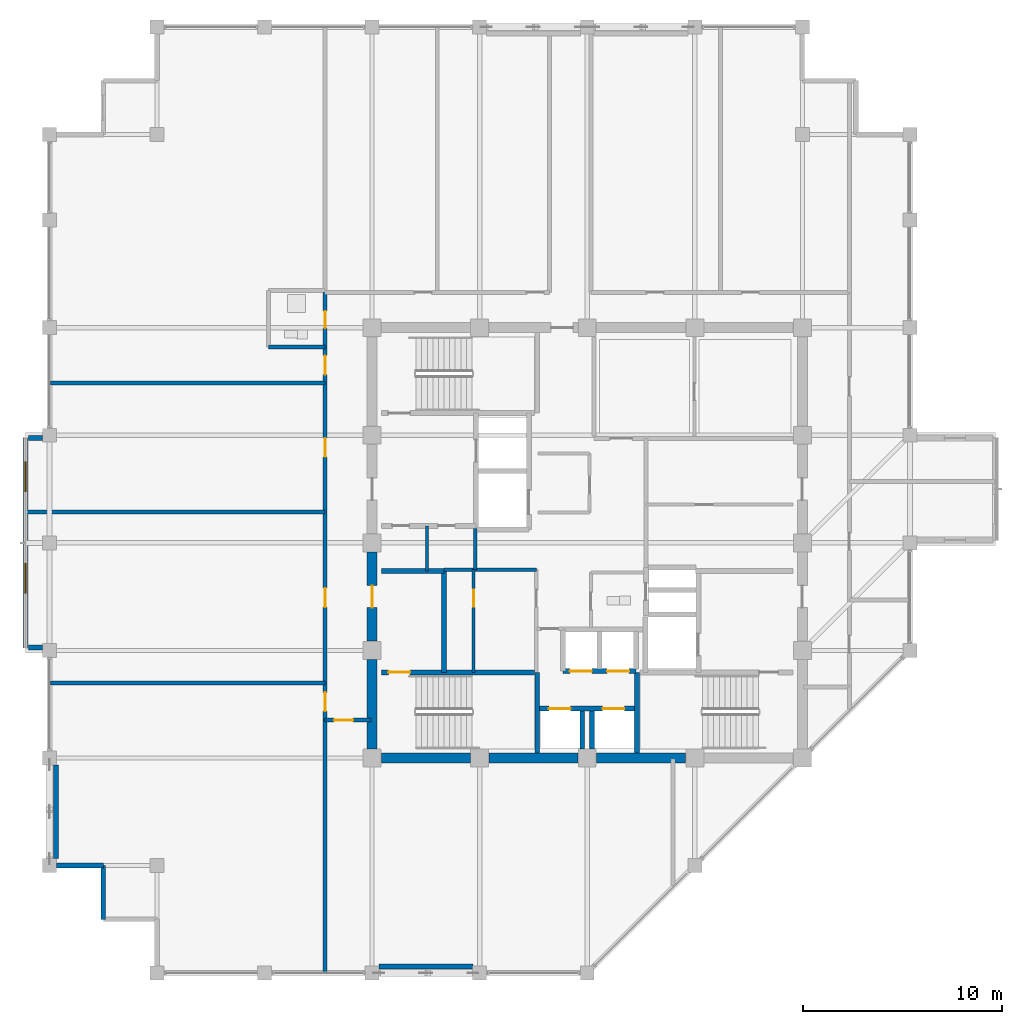
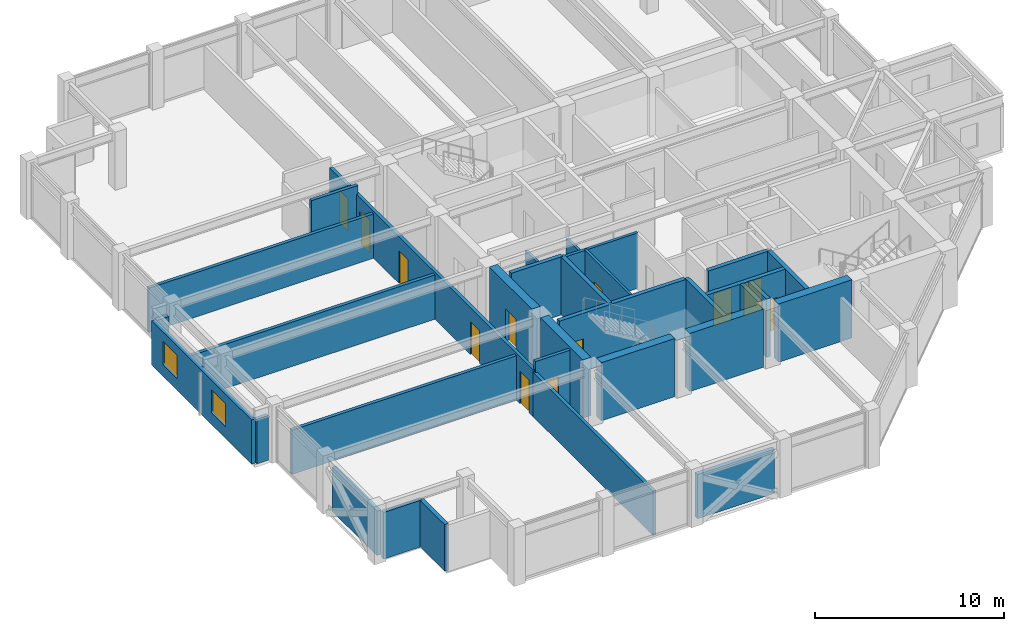
# One storey, part 24 of 30: 32 walls, 13 doors, 2 windows, 15 openings.
"""IFC4 building model written with IfcOpenShell, lengths in metres."""

from ifc_helpers import new_model, si_unit, direction, frame, frame_2d, origin, place, context, subcontext, project, spatial, rectangle, extrude, material, layer, layer_set, type_object, element, fill, save


model = new_model("IFC4")

# Units and contexts
model_context = context("Model", 3, precision=1e-05, world=origin(), true_north=direction((0.0, 1.0)))
body_context = subcontext(model_context, "Body", "Model", "MODEL_VIEW")
ifc_project = project(units=[si_unit("LENGTHUNIT", "METRE"), si_unit("AREAUNIT", "SQUARE_METRE"), si_unit("VOLUMEUNIT", "CUBIC_METRE"), si_unit("PLANEANGLEUNIT", "RADIAN"), si_unit("MASSUNIT", "GRAM", prefix="KILO")], contexts=[model_context])

# Site, building, storey
site_placement = place(None, origin())
site = spatial("IfcSite", under=ifc_project, at=site_placement, CompositionType="ELEMENT")
building_placement = place(site_placement, origin())
building = spatial("IfcBuilding", under=site, at=building_placement, Name="Surkhivell Harbour Commons", CompositionType="ELEMENT")
storey_placement = place(building_placement, frame((0.0, 0.0, 303.75)))
storey = spatial("IfcBuildingStorey", under=building, at=storey_placement, Name="L79", CompositionType="ELEMENT", Elevation=303.75)

# Walls
ifc_material_1 = material(Name="Concrete C50/60", Category="concrete")
ifc_layer_1 = layer(ifc_material_1, 0.5)
ifc_layer_set_1 = layer_set([ifc_layer_1], Name="Concrete C50/60")
wall_type_1 = type_object("IfcWallType", Name="WAL-CORE-500", PredefinedType="SHEAR", material=ifc_layer_set_1)
for number, where, z_axis, x_axis, name in (
    (1, (-10.340087890625, -10.800048828125, 0.0), (0.0, 0.0, 1.0), (1.0, 0.0, 0.0), "L79 Core Shear Wall South 1"),
    (2, (-10.800048828125, -10.340087890625, 0.0), (0.0, 0.0, 1.0), (0.0, 1.0, 0.0), "L79 Core Shear Wall West 1"),
    (3, (-4.93994140625, -10.800048828125, 0.0), (0.0, 0.0, 1.0), (1.0, 0.0, 0.0), "L79 Core Shear Wall South 2"),
):
    element("IfcWall", number, at=place(storey_placement, frame(where, z_axis=z_axis, x_axis=x_axis)), inside=storey, type_object=wall_type_1, Name=name, PredefinedType="SHEAR", context=body_context, shape_type="SweptSolid", body=[
        extrude(rectangle(XDim=4.47998046875, YDim=0.5, at=frame_2d((2.239990234375, 0.0))), origin(), (0.0, 0.0, 1.0), 3.75),
    ])

# Wall, opening, door
wall_1_placement = place(storey_placement, frame((-10.800048828125, -4.93994140625, 0.0), z_axis=(0.0, 0.0, 1.0), x_axis=(0.0, 1.0, 0.0)))
wall_1 = element("IfcWall", 4, at=wall_1_placement, inside=storey, type_object=wall_type_1, Name="L79 Core Shear Wall West 2", PredefinedType="SHEAR", context=body_context, shape_type="SweptSolid", body=[
    extrude(rectangle(XDim=4.47998046875, YDim=0.5, at=frame_2d((2.239990234375, 0.0))), origin(), (0.0, 0.0, 1.0), 3.75),
])
opening_1_placement = place(wall_1_placement, frame((1.68994140625, 0.0, 0.0)))
opening_1 = element("IfcOpeningElement", 5, at=opening_1_placement, cuts=wall_1, Name="Opening ID-2", PredefinedType="OPENING", context=body_context, shape_type="SweptSolid", body=[
    extrude(rectangle(XDim=1.10009765625, YDim=2.10009765625, at=frame_2d((0.550048828125, 1.050048828125))), frame((0.0, 0.260009765625, 0.0), z_axis=(0.0, -1.0, 0.0), x_axis=(1.0, 0.0, 0.0)), (0.0, 0.0, 1.0), 0.52001953125),
])
ifc_material_2 = material(Name="Hardwood-veneered fire-rated door leaf", Category="wood")
door_type_1 = type_object("IfcDoorType", Name="DOR-FD60-1100", OperationType="NOTDEFINED", PredefinedType="DOOR", material=ifc_material_2)
door_1_placement = place(opening_1_placement, origin())
door_1 = element("IfcDoor", 6, at=door_1_placement, inside=storey, type_object=door_type_1, Name="L79 Stair 3 Lobby Corridor Door", OperationType="SINGLE_SWING_LEFT", OverallHeight=2.10009765625, OverallWidth=1.10009765625, PredefinedType="DOOR", context=body_context, shape_type="SweptSolid", body=[
    extrude(rectangle(XDim=1.10009765625, YDim=2.10009765625, at=frame_2d((0.550048828125, 1.050048828125))), frame((0.0, 0.02490234375, 0.0), z_axis=(0.0, -1.0, 0.0), x_axis=(1.0, 0.0, 0.0)), (0.0, 0.0, 1.0), 0.050048828125),
])
fill(opening_1, door_1)

# Walls
wall_2_placement = place(storey_placement, frame((0.4599609375, -10.800048828125, 0.0), z_axis=(0.0, 0.0, 1.0), x_axis=(1.0, 0.0, 0.0)))
element("IfcWall", 7, at=wall_2_placement, inside=storey, type_object=wall_type_1, Name="L79 Core Shear Wall South 3", PredefinedType="SHEAR", context=body_context, shape_type="SweptSolid", body=[
    extrude(rectangle(XDim=4.47998046875, YDim=0.5, at=frame_2d((2.239990234375, 0.0))), origin(), (0.0, 0.0, 1.0), 3.75),
])
ifc_material_3 = material(Name="Pale-metal insulated precast concrete C45/55", Category="concrete")
ifc_layer_2 = layer(ifc_material_3, 0.260009765625)
ifc_layer_set_2 = layer_set([ifc_layer_2], Name="Pale-metal insulated precast concrete C45/55")
wall_type_2 = type_object("IfcWallType", Name="WAL-EXT-MTL260", PredefinedType="STANDARD", material=ifc_layer_set_2)
wall_3_placement = place(storey_placement, frame((-10.451904296875, -21.264892578125, 0.0), z_axis=(0.0, 0.0, 1.0), x_axis=(1.0, 0.0, 0.0)))
element("IfcWall", 8, at=wall_3_placement, inside=storey, type_object=wall_type_2, Name="L79 Braced-Bay Insulated Spandrel Backing S", PredefinedType="STANDARD", context=body_context, shape_type="SweptSolid", body=[
    extrude(rectangle(XDim=4.703857421875, YDim=0.260009765625, at=frame_2d((2.35205078125, 0.0))), origin(), (0.0, 0.0, 1.0), 2.85693359375),
])
wall_4_placement = place(storey_placement, frame((-26.6650390625, -15.85205078125, 0.0), z_axis=(0.0, 0.0, 1.0), x_axis=(0.0, 1.0, 0.0)))
element("IfcWall", 9, at=wall_4_placement, inside=storey, type_object=wall_type_2, Name="L79 Braced-Bay Insulated Spandrel Backing W", PredefinedType="STANDARD", context=body_context, shape_type="SweptSolid", body=[
    extrude(rectangle(XDim=4.7041015625, YDim=0.260009765625, at=frame_2d((2.35205078125, 0.0))), origin(), (0.0, 0.0, 1.0), 2.85693359375),
])

# Wall, openings, windows
ifc_material_4 = material(Name="Bronze-ochre cassette precast concrete C45/55", Category="concrete")
ifc_layer_3 = layer(ifc_material_4, 0.239990234375)
ifc_layer_set_3 = layer_set([ifc_layer_3], Name="Bronze-ochre cassette precast concrete C45/55")
wall_type_3 = type_object("IfcWallType", Name="WAL-EXT-OCH240", PredefinedType="STANDARD", material=ifc_layer_set_3)
wall_5_placement = place(storey_placement, frame((-28.199951171875, 5.280029296875, 0.0), z_axis=(0.0, 0.0, 1.0), x_axis=(0.0, -1.0, 0.0)))
wall_5 = element("IfcWall", 10, at=wall_5_placement, inside=storey, type_object=wall_type_3, Name="L79 Coloured Box Front Wall 02", PredefinedType="STANDARD", context=body_context, shape_type="SweptSolid", body=[
    extrude(rectangle(XDim=10.56005859375, YDim=0.239990234375, at=frame_2d((5.280029296875, 0.0))), origin(), (0.0, 0.0, 1.0), 2.85693359375),
])
opening_2_placement = place(wall_5_placement, frame((1.205078125, 0.0, 0.75)))
opening_2 = element("IfcOpeningElement", 11, at=opening_2_placement, cuts=wall_5, Name="Opening WN-13", PredefinedType="OPENING", context=body_context, shape_type="SweptSolid", body=[
    extrude(rectangle(XDim=1.5, YDim=1.5, at=frame_2d((0.75, 0.75))), frame((0.0, 0.1298828125, 0.0), z_axis=(0.0, -1.0, 0.0), x_axis=(1.0, 0.0, 0.0)), (0.0, 0.0, 1.0), 0.260009765625),
])
opening_3_placement = place(wall_5_placement, frame((6.304931640625, 0.0, 0.75)))
opening_3 = element("IfcOpeningElement", 12, at=opening_3_placement, cuts=wall_5, Name="Opening WN-13", PredefinedType="OPENING", context=body_context, shape_type="SweptSolid", body=[
    extrude(rectangle(XDim=1.5, YDim=1.5, at=frame_2d((0.75, 0.75))), frame((0.0, 0.1298828125, 0.0), z_axis=(0.0, -1.0, 0.0), x_axis=(1.0, 0.0, 0.0)), (0.0, 0.0, 1.0), 0.260009765625),
])
ifc_material_5 = material(Name="Thermal-break aluminium frame and double low-E glazing", Category="aluminium")
window_type = type_object("IfcWindowType", Name="WIN-BOX-1500x1500", PartitioningType="SINGLE_PANEL", PredefinedType="WINDOW", material=ifc_material_5)
window_1_placement = place(opening_2_placement, origin())
window_1 = element("IfcWindow", 13, at=window_1_placement, inside=storey, type_object=window_type, Name="L79 Coloured Box Square Window 02-1", OverallHeight=1.5, OverallWidth=1.5, PartitioningType="SINGLE_PANEL", PredefinedType="WINDOW", context=body_context, shape_type="SweptSolid", body=[
    extrude(rectangle(XDim=1.5, YDim=1.5, at=frame_2d((0.75, 0.75))), frame((0.0, 0.030029296875, 0.0), z_axis=(0.0, -1.0, 0.0), x_axis=(1.0, 0.0, 0.0)), (0.0, 0.0, 1.0), 0.06005859375),
])
fill(opening_2, window_1)
window_2_placement = place(opening_3_placement, origin())
window_2 = element("IfcWindow", 14, at=window_2_placement, inside=storey, type_object=window_type, Name="L79 Coloured Box Square Window 02-2", OverallHeight=1.5, OverallWidth=1.5, PartitioningType="SINGLE_PANEL", PredefinedType="WINDOW", context=body_context, shape_type="SweptSolid", body=[
    extrude(rectangle(XDim=1.5, YDim=1.5, at=frame_2d((0.75, 0.75))), frame((0.0, 0.030029296875, 0.0), z_axis=(0.0, -1.0, 0.0), x_axis=(1.0, 0.0, 0.0)), (0.0, 0.0, 1.0), 0.06005859375),
])
fill(opening_3, window_2)

# Walls
for number, where, z_axis, x_axis, name in (
    (15, (-28.06005859375, -5.260009765625, 0.0), (0.0, 0.0, 1.0), (1.0, 0.0, 0.0), "L79 Coloured Box Return Wall 02S"),
    (16, (-28.06005859375, 5.260009765625, 0.0), (0.0, 0.0, 1.0), (1.0, 0.0, 0.0), "L79 Coloured Box Return Wall 02N"),
):
    element("IfcWall", number, at=place(storey_placement, frame(where, z_axis=z_axis, x_axis=x_axis)), inside=storey, type_object=wall_type_3, Name=name, PredefinedType="STANDARD", context=body_context, shape_type="SweptSolid", body=[
        extrude(rectangle(XDim=0.7060546875, YDim=0.239990234375, at=frame_2d((0.35302734375, 0.0))), origin(), (0.0, 0.0, 1.0), 2.85693359375),
    ])
wall_6_placement = place(storey_placement, frame((-26.652099609375, -16.199951171875, 0.0), z_axis=(0.0, 0.0, 1.0), x_axis=(1.0, 0.0, 0.0)))
element("IfcWall", 17, at=wall_6_placement, inside=storey, type_object=wall_type_3, Name="L79 Serrated Corner Facade Wall 13", PredefinedType="STANDARD", context=body_context, shape_type="SweptSolid", body=[
    extrude(rectangle(XDim=2.35205078125, YDim=0.239990234375, at=frame_2d((1.176025390625, 0.0))), origin(), (0.0, 0.0, 1.0), 3.012939453125),
])
wall_7_placement = place(storey_placement, frame((-24.300048828125, -16.199951171875, 0.0), z_axis=(0.0, 0.0, 1.0), x_axis=(0.0, -1.0, 0.0)))
element("IfcWall", 18, at=wall_7_placement, inside=storey, type_object=wall_type_3, Name="L79 Serrated Corner Facade Wall 14", PredefinedType="STANDARD", context=body_context, shape_type="SweptSolid", body=[
    extrude(rectangle(XDim=2.699951171875, YDim=0.239990234375, at=frame_2d((1.35009765625, 0.0))), origin(), (0.0, 0.0, 1.0), 3.012939453125),
])

# Wall, opening, door
ifc_material_6 = material(Name="Twin-stud acoustic fireboard partition", Category="other")
ifc_layer_4 = layer(ifc_material_6, 0.14990234375)
ifc_layer_set_4 = layer_set([ifc_layer_4], Name="Twin-stud acoustic fireboard partition")
wall_type_4 = type_object("IfcWallType", Name="WAL-INT-150", PredefinedType="PARTITIONING", material=ifc_layer_set_4)
wall_8_placement = place(storey_placement, frame((-5.699951171875, -6.510009765625, 0.0), z_axis=(0.0, 0.0, 1.0), x_axis=(0.0, 1.0, 0.0)))
wall_8 = element("IfcWall", 19, at=wall_8_placement, inside=storey, type_object=wall_type_4, Name="L79 Core Cut B Partition", PredefinedType="PARTITIONING", context=body_context, shape_type="SweptSolid", body=[
    extrude(rectangle(XDim=5.159912109375, YDim=0.14990234375, at=frame_2d((2.580078125, 0.0))), origin(), (0.0, 0.0, 1.0), 3.570068359375),
])
opening_4_placement = place(wall_8_placement, frame((3.300048828125, 0.0, 0.0)))
opening_4 = element("IfcOpeningElement", 20, at=opening_4_placement, cuts=wall_8, Name="Opening ID-6", PredefinedType="OPENING", context=body_context, shape_type="SweptSolid", body=[
    extrude(rectangle(XDim=0.85009765625, YDim=2.10009765625, at=frame_2d((0.425048828125, 1.050048828125))), frame((0.0, 0.0849609375, 0.0), z_axis=(0.0, -1.0, 0.0), x_axis=(1.0, 0.0, 0.0)), (0.0, 0.0, 1.0), 0.169921875),
])
door_type_2 = type_object("IfcDoorType", Name="DOR-FD30-850", OperationType="NOTDEFINED", PredefinedType="DOOR", material=ifc_material_2)
door_2_placement = place(opening_4_placement, origin())
door_2 = element("IfcDoor", 21, at=door_2_placement, inside=storey, type_object=door_type_2, Name="L79 Core Focus Study Door", OperationType="SINGLE_SWING_RIGHT", OverallHeight=2.10009765625, OverallWidth=0.85009765625, PredefinedType="DOOR", context=body_context, shape_type="SweptSolid", body=[
    extrude(rectangle(XDim=0.85009765625, YDim=2.10009765625, at=frame_2d((0.425048828125, 1.050048828125))), frame((0.0, 0.02490234375, 0.0), z_axis=(0.0, -1.0, 0.0), x_axis=(1.0, 0.0, 0.0)), (0.0, 0.0, 1.0), 0.050048828125),
])
fill(opening_4, door_2)

# Walls
wall_9_placement = place(storey_placement, frame((-8.050048828125, -1.419921875, 0.0), z_axis=(0.0, 0.0, 1.0), x_axis=(0.0, 1.0, 0.0)))
element("IfcWall", 22, at=wall_9_placement, inside=storey, type_object=wall_type_4, Name="L79 West Seminar Booth Divider", PredefinedType="PARTITIONING", context=body_context, shape_type="SweptSolid", body=[
    extrude(rectangle(XDim=2.27001953125, YDim=0.14990234375, at=frame_2d((1.135009765625, 0.0))), origin(), (0.0, 0.0, 1.0), 3.012939453125),
])
ifc_material_7 = material(Name="High-density acoustic blockwork fire partition", Category="masonry")
ifc_layer_5 = layer(ifc_material_7, 0.175048828125)
ifc_layer_set_5 = layer_set([ifc_layer_5], Name="High-density acoustic blockwork fire partition")
wall_type_5 = type_object("IfcWallType", Name="WAL-INT-175", PredefinedType="PARTITIONING", material=ifc_layer_set_5)
wall_10_placement = place(storey_placement, frame((-7.179931640625, -1.35009765625, 0.0), z_axis=(0.0, 0.0, 1.0), x_axis=(1.0, 0.0, 0.0)))
element("IfcWall", 23, at=wall_10_placement, inside=storey, type_object=wall_type_5, Name="L79 Core Service Bay North Wall", PredefinedType="PARTITIONING", context=body_context, shape_type="SweptSolid", body=[
    extrude(rectangle(XDim=4.6298828125, YDim=0.175048828125, at=frame_2d((2.31494140625, 0.0))), origin(), (0.0, 0.0, 1.0), 3.570068359375),
])
wall_11_placement = place(storey_placement, frame((-5.6201171875, -1.35009765625, 0.0), z_axis=(0.0, 0.0, 1.0), x_axis=(0.0, 1.0, 0.0)))
element("IfcWall", 24, at=wall_11_placement, inside=storey, type_object=wall_type_5, Name="L79 West Core Bay East Wall", PredefinedType="PARTITIONING", context=body_context, shape_type="SweptSolid", body=[
    extrude(rectangle(XDim=2.070068359375, YDim=0.175048828125, at=frame_2d((1.03515625, 0.0))), origin(), (0.0, 0.0, 1.0), 3.012939453125),
])
ifc_material_8 = material(Name="Autoclaved aerated concrete blockwork and fire plaster", Category="masonry")
ifc_layer_6 = layer(ifc_material_8, 0.199951171875)
ifc_layer_set_6 = layer_set([ifc_layer_6], Name="Autoclaved aerated concrete blockwork and fire plaster")
wall_type_6 = type_object("IfcWallType", Name="WAL-INT-200", PredefinedType="PARTITIONING", material=ifc_layer_set_6)
wall_12_placement = place(storey_placement, frame((-13.159912109375, -21.5400390625, 0.0), z_axis=(0.0, 0.0, 1.0), x_axis=(0.0, 1.0, 0.0)))
element("IfcWall", 25, at=wall_12_placement, inside=storey, type_object=wall_type_6, Name="L79 South Hall West Divider", PredefinedType="PARTITIONING", context=body_context, shape_type="SweptSolid", body=[
    extrude(rectangle(XDim=12.64013671875, YDim=0.199951171875, at=frame_2d((6.320068359375, 0.0))), origin(), (0.0, 0.0, 1.0), 2.85693359375),
])

# Wall, openings, doors
wall_13_placement = place(storey_placement, frame((-13.159912109375, -8.89990234375, 0.0), z_axis=(0.0, 0.0, 1.0), x_axis=(0.0, 1.0, 0.0)))
wall_13 = element("IfcWall", 26, at=wall_13_placement, inside=storey, type_object=wall_type_6, Name="L79 West Corridor Wall", PredefinedType="PARTITIONING", context=body_context, shape_type="SweptSolid", body=[
    extrude(rectangle(XDim=21.47998046875, YDim=0.199951171875, at=frame_2d((10.739990234375, 0.0))), origin(), (0.0, 0.0, 1.0), 3.012939453125),
])
opening_5_placement = place(wall_13_placement, frame((0.445068359375, 0.0, 0.0)))
opening_5 = element("IfcOpeningElement", 27, at=opening_5_placement, cuts=wall_13, Name="Opening ID-4", PredefinedType="OPENING", context=body_context, shape_type="SweptSolid", body=[
    extrude(rectangle(XDim=0.949951171875, YDim=2.10009765625, at=frame_2d((0.47509765625, 1.050048828125))), frame((0.0, 0.10986328125, 0.0), z_axis=(0.0, -1.0, 0.0), x_axis=(1.0, 0.0, 0.0)), (0.0, 0.0, 1.0), 0.219970703125),
])
opening_6_placement = place(wall_13_placement, frame((19.68505859375, 0.0, 0.0)))
opening_6 = element("IfcOpeningElement", 28, at=opening_6_placement, cuts=wall_13, Name="Opening ID-6", PredefinedType="OPENING", context=body_context, shape_type="SweptSolid", body=[
    extrude(rectangle(XDim=0.85009765625, YDim=2.10009765625, at=frame_2d((0.425048828125, 1.050048828125))), frame((0.0, 0.10986328125, 0.0), z_axis=(0.0, -1.0, 0.0), x_axis=(1.0, 0.0, 0.0)), (0.0, 0.0, 1.0), 0.219970703125),
])
opening_7_placement = place(wall_13_placement, frame((17.35009765625, 0.0, 0.0)))
opening_7 = element("IfcOpeningElement", 29, at=opening_7_placement, cuts=wall_13, Name="Opening ID-4", PredefinedType="OPENING", context=body_context, shape_type="SweptSolid", body=[
    extrude(rectangle(XDim=0.949951171875, YDim=2.10009765625, at=frame_2d((0.47509765625, 1.050048828125))), frame((0.0, 0.10986328125, 0.0), z_axis=(0.0, -1.0, 0.0), x_axis=(1.0, 0.0, 0.0)), (0.0, 0.0, 1.0), 0.219970703125),
])
opening_8_placement = place(wall_13_placement, frame((5.669921875, 0.0, 0.0)))
opening_8 = element("IfcOpeningElement", 30, at=opening_8_placement, cuts=wall_13, Name="Opening ID-4", PredefinedType="OPENING", context=body_context, shape_type="SweptSolid", body=[
    extrude(rectangle(XDim=0.949951171875, YDim=2.10009765625, at=frame_2d((0.47509765625, 1.050048828125))), frame((0.0, 0.10986328125, 0.0), z_axis=(0.0, -1.0, 0.0), x_axis=(1.0, 0.0, 0.0)), (0.0, 0.0, 1.0), 0.219970703125),
])
opening_9_placement = place(wall_13_placement, frame((13.2099609375, 0.0, 0.0)))
opening_9 = element("IfcOpeningElement", 31, at=opening_9_placement, cuts=wall_13, Name="Opening ID-4", PredefinedType="OPENING", context=body_context, shape_type="SweptSolid", body=[
    extrude(rectangle(XDim=0.949951171875, YDim=2.10009765625, at=frame_2d((0.47509765625, 1.050048828125))), frame((0.0, 0.10986328125, 0.0), z_axis=(0.0, -1.0, 0.0), x_axis=(1.0, 0.0, 0.0)), (0.0, 0.0, 1.0), 0.219970703125),
])
door_3_placement = place(opening_6_placement, origin())
door_3 = element("IfcDoor", 32, at=door_3_placement, inside=storey, type_object=door_type_2, Name="L79 Communal Shower Bathroom West Door", OperationType="SINGLE_SWING_RIGHT", OverallHeight=2.10009765625, OverallWidth=0.85009765625, PredefinedType="DOOR", context=body_context, shape_type="SweptSolid", body=[
    extrude(rectangle(XDim=0.85009765625, YDim=2.10009765625, at=frame_2d((0.425048828125, 1.050048828125))), frame((0.0, 0.02490234375, 0.0), z_axis=(0.0, -1.0, 0.0), x_axis=(1.0, 0.0, 0.0)), (0.0, 0.0, 1.0), 0.050048828125),
])
fill(opening_6, door_3)
door_type_3 = type_object("IfcDoorType", Name="DOR-FD60-950", OperationType="NOTDEFINED", PredefinedType="DOOR", material=ifc_material_2)
door_4_placement = place(opening_5_placement, origin())
door_4 = element("IfcDoor", 33, at=door_4_placement, inside=storey, type_object=door_type_3, Name="L79 Shared Communal Kitchen West Door", OperationType="SINGLE_SWING_LEFT", OverallHeight=2.10009765625, OverallWidth=0.949951171875, PredefinedType="DOOR", context=body_context, shape_type="SweptSolid", body=[
    extrude(rectangle(XDim=0.949951171875, YDim=2.10009765625, at=frame_2d((0.47509765625, 1.050048828125))), frame((0.0, 0.02490234375, 0.0), z_axis=(0.0, -1.0, 0.0), x_axis=(1.0, 0.0, 0.0)), (0.0, 0.0, 1.0), 0.050048828125),
])
fill(opening_5, door_4)
door_5_placement = place(opening_7_placement, origin())
door_5 = element("IfcDoor", 34, at=door_5_placement, inside=storey, type_object=door_type_3, Name="L79 Academic Reading Commons West Door", OperationType="SINGLE_SWING_LEFT", OverallHeight=2.10009765625, OverallWidth=0.949951171875, PredefinedType="DOOR", context=body_context, shape_type="SweptSolid", body=[
    extrude(rectangle(XDim=0.949951171875, YDim=2.10009765625, at=frame_2d((0.47509765625, 1.050048828125))), frame((0.0, 0.02490234375, 0.0), z_axis=(0.0, -1.0, 0.0), x_axis=(1.0, 0.0, 0.0)), (0.0, 0.0, 1.0), 0.050048828125),
])
fill(opening_7, door_5)
door_6_placement = place(opening_8_placement, origin())
door_6 = element("IfcDoor", 35, at=door_6_placement, inside=storey, type_object=door_type_3, Name="L79 Hostel Cluster Bedroom 1 West Door", OperationType="SINGLE_SWING_RIGHT", OverallHeight=2.10009765625, OverallWidth=0.949951171875, PredefinedType="DOOR", context=body_context, shape_type="SweptSolid", body=[
    extrude(rectangle(XDim=0.949951171875, YDim=2.10009765625, at=frame_2d((0.47509765625, 1.050048828125))), frame((0.0, 0.02490234375, 0.0), z_axis=(0.0, -1.0, 0.0), x_axis=(1.0, 0.0, 0.0)), (0.0, 0.0, 1.0), 0.050048828125),
])
fill(opening_8, door_6)
door_7_placement = place(opening_9_placement, origin())
door_7 = element("IfcDoor", 36, at=door_7_placement, inside=storey, type_object=door_type_3, Name="L79 Co-Living Dormitory Bedroom 2 West Door", OperationType="SINGLE_SWING_LEFT", OverallHeight=2.10009765625, OverallWidth=0.949951171875, PredefinedType="DOOR", context=body_context, shape_type="SweptSolid", body=[
    extrude(rectangle(XDim=0.949951171875, YDim=2.10009765625, at=frame_2d((0.47509765625, 1.050048828125))), frame((0.0, 0.02490234375, 0.0), z_axis=(0.0, -1.0, 0.0), x_axis=(1.0, 0.0, 0.0)), (0.0, 0.0, 1.0), 0.050048828125),
])
fill(opening_9, door_7)

# Wall, opening, door
wall_14_placement = place(storey_placement, frame((-13.159912109375, -8.89990234375, 0.0), z_axis=(0.0, 0.0, 1.0), x_axis=(1.0, 0.0, 0.0)))
wall_14 = element("IfcWall", 37, at=wall_14_placement, inside=storey, type_object=wall_type_6, Name="L79 West Corridor South Portal Wall", PredefinedType="PARTITIONING", context=body_context, shape_type="SweptSolid", body=[
    extrude(rectangle(XDim=2.309814453125, YDim=0.199951171875, at=frame_2d((1.15478515625, 0.0))), origin(), (0.0, 0.0, 1.0), 3.570068359375),
])
opening_10_placement = place(wall_14_placement, frame((0.449951171875, 0.0, 0.0)))
opening_10 = element("IfcOpeningElement", 38, at=opening_10_placement, cuts=wall_14, Name="Opening ID-4", PredefinedType="OPENING", context=body_context, shape_type="SweptSolid", body=[
    extrude(rectangle(XDim=0.949951171875, YDim=2.10009765625, at=frame_2d((0.47509765625, 1.050048828125))), frame((0.0, 0.10986328125, 0.0), z_axis=(0.0, -1.0, 0.0), x_axis=(1.0, 0.0, 0.0)), (0.0, 0.0, 1.0), 0.219970703125),
])
door_8_placement = place(opening_10_placement, origin())
door_8 = element("IfcDoor", 39, at=door_8_placement, inside=storey, type_object=door_type_3, Name="L79 South Reading Door", OperationType="SINGLE_SWING_RIGHT", OverallHeight=2.10009765625, OverallWidth=0.949951171875, PredefinedType="DOOR", context=body_context, shape_type="SweptSolid", body=[
    extrude(rectangle(XDim=0.949951171875, YDim=2.10009765625, at=frame_2d((0.47509765625, 1.050048828125))), frame((0.0, 0.02490234375, 0.0), z_axis=(0.0, -1.0, 0.0), x_axis=(1.0, 0.0, 0.0)), (0.0, 0.0, 1.0), 0.050048828125),
])
fill(opening_10, door_8)

# Walls
wall_15_placement = place(storey_placement, frame((-28.139892578125, 1.550048828125, 0.0), z_axis=(0.0, 0.0, 1.0), x_axis=(1.0, 0.0, 0.0)))
element("IfcWall", 40, at=wall_15_placement, inside=storey, type_object=wall_type_6, Name="L79 West Partition BDP1", PredefinedType="PARTITIONING", context=body_context, shape_type="SweptSolid", body=[
    extrude(rectangle(XDim=14.97998046875, YDim=0.199951171875, at=frame_2d((7.489990234375, 0.0))), origin(), (0.0, 0.0, 1.0), 2.85693359375),
])
wall_16_placement = place(storey_placement, frame((-16.010009765625, 9.830078125, 0.0), z_axis=(0.0, 0.0, 1.0), x_axis=(1.0, 0.0, 0.0)))
element("IfcWall", 41, at=wall_16_placement, inside=storey, type_object=wall_type_6, Name="L79 West Partition BTHS", PredefinedType="PARTITIONING", context=body_context, shape_type="SweptSolid", body=[
    extrude(rectangle(XDim=2.85009765625, YDim=0.199951171875, at=frame_2d((1.425048828125, 0.0))), origin(), (0.0, 0.0, 1.0), 3.570068359375),
])
for number, where, z_axis, x_axis, name in (
    (42, (-26.93994140625, -7.050048828125, 0.0), (0.0, 0.0, 1.0), (1.0, 0.0, 0.0), "L79 West Partition PBOT"),
    (43, (-26.93994140625, 8.030029296875, 0.0), (0.0, 0.0, 1.0), (1.0, 0.0, 0.0), "L79 West Partition PTOP"),
):
    element("IfcWall", number, at=place(storey_placement, frame(where, z_axis=z_axis, x_axis=x_axis)), inside=storey, type_object=wall_type_6, Name=name, PredefinedType="PARTITIONING", context=body_context, shape_type="SweptSolid", body=[
        extrude(rectangle(XDim=13.780029296875, YDim=0.199951171875, at=frame_2d((6.89013671875, 0.0))), origin(), (0.0, 0.0, 1.0), 2.85693359375),
    ])
ifc_layer_7 = layer(ifc_material_1, 0.25)
ifc_layer_set_7 = layer_set([ifc_layer_7], Name="Concrete C50/60")
wall_type_7 = type_object("IfcWallType", Name="WAL-SHAFT-250", PredefinedType="SHEAR", material=ifc_layer_set_7)
for number, where, z_axis, x_axis, name in (
    (44, (-0.25, -10.35009765625, 0.0), (0.0, 0.0, 1.0), (0.0, 1.0, 0.0), "L79 High-Rise Side Wall S"),
    (45, (0.25, -10.35009765625, 0.0), (0.0, 0.0, 1.0), (0.0, 1.0, 0.0), "L79 High-Rise Side Wall S"),
):
    element("IfcWall", number, at=place(storey_placement, frame(where, z_axis=z_axis, x_axis=x_axis)), inside=storey, type_object=wall_type_7, Name=name, PredefinedType="SHEAR", context=body_context, shape_type="SweptSolid", body=[
        extrude(rectangle(XDim=1.91015625, YDim=0.25, at=frame_2d((0.955078125, 0.0))), origin(), (0.0, 0.0, 1.0), 3.75),
    ])

# Wall, openings, doors
wall_17_placement = place(storey_placement, frame((-1.219970703125, -6.43994140625, 0.0), z_axis=(0.0, 0.0, 1.0), x_axis=(1.0, 0.0, 0.0)))
wall_17 = element("IfcWall", 46, at=wall_17_placement, inside=storey, type_object=wall_type_7, Name="L79 High-Rise North Front Shaft Wall", PredefinedType="SHEAR", context=body_context, shape_type="SweptSolid", body=[
    extrude(rectangle(XDim=3.669921875, YDim=0.25, at=frame_2d((1.8349609375, 0.0))), origin(), (0.0, 0.0, 1.0), 3.75),
])
opening_11_placement = place(wall_17_placement, frame((0.35009765625, 0.0, 0.0)))
opening_11 = element("IfcOpeningElement", 47, at=opening_11_placement, cuts=wall_17, Name="Opening LD-1", PredefinedType="OPENING", context=body_context, shape_type="SweptSolid", body=[
    extrude(rectangle(XDim=1.10009765625, YDim=2.10009765625, at=frame_2d((0.550048828125, 1.050048828125))), frame((0.0, 0.135009765625, 0.0), z_axis=(0.0, -1.0, 0.0), x_axis=(1.0, 0.0, 0.0)), (0.0, 0.0, 1.0), 0.27001953125),
])
opening_12_placement = place(wall_17_placement, frame((2.219970703125, 0.0, 0.0)))
opening_12 = element("IfcOpeningElement", 48, at=opening_12_placement, cuts=wall_17, Name="Opening LD-1", PredefinedType="OPENING", context=body_context, shape_type="SweptSolid", body=[
    extrude(rectangle(XDim=1.10009765625, YDim=2.10009765625, at=frame_2d((0.550048828125, 1.050048828125))), frame((0.0, 0.135009765625, 0.0), z_axis=(0.0, -1.0, 0.0), x_axis=(1.0, 0.0, 0.0)), (0.0, 0.0, 1.0), 0.27001953125),
])
ifc_material_9 = material(Name="Brushed stainless steel S355", Category="steel")
door_type_4 = type_object("IfcDoorType", Name="DOR-LD-1100", OperationType="SLIDING_TO_LEFT", PredefinedType="DOOR", material=ifc_material_9)
door_9_placement = place(opening_11_placement, origin())
door_9 = element("IfcDoor", 49, at=door_9_placement, inside=storey, type_object=door_type_4, Name="L79 Lift Landing Door LD-PH1", OperationType="SLIDING_TO_LEFT", OverallHeight=2.10009765625, OverallWidth=1.10009765625, PredefinedType="DOOR", context=body_context, shape_type="SweptSolid", body=[
    extrude(rectangle(XDim=1.10009765625, YDim=2.10009765625, at=frame_2d((0.550048828125, 1.050048828125))), frame((0.0, 0.02490234375, 0.0), z_axis=(0.0, -1.0, 0.0), x_axis=(1.0, 0.0, 0.0)), (0.0, 0.0, 1.0), 0.050048828125),
])
fill(opening_11, door_9)
door_10_placement = place(opening_12_placement, origin())
door_10 = element("IfcDoor", 50, at=door_10_placement, inside=storey, type_object=door_type_4, Name="L79 Lift Landing Door LD-PH2", OperationType="SLIDING_TO_LEFT", OverallHeight=2.10009765625, OverallWidth=1.10009765625, PredefinedType="DOOR", context=body_context, shape_type="SweptSolid", body=[
    extrude(rectangle(XDim=1.10009765625, YDim=2.10009765625, at=frame_2d((0.550048828125, 1.050048828125))), frame((0.0, 0.02490234375, 0.0), z_axis=(0.0, -1.0, 0.0), x_axis=(1.0, 0.0, 0.0)), (0.0, 0.0, 1.0), 0.050048828125),
])
fill(opening_12, door_10)

wall_18_placement = place(storey_placement, frame((-2.47998046875, -8.320068359375, 0.0), z_axis=(0.0, 0.0, 1.0), x_axis=(1.0, 0.0, 0.0)))
wall_18 = element("IfcWall", 51, at=wall_18_placement, inside=storey, type_object=wall_type_7, Name="L79 High-Rise South Front Shaft Wall", PredefinedType="SHEAR", context=body_context, shape_type="SweptSolid", body=[
    extrude(rectangle(XDim=4.929931640625, YDim=0.25, at=frame_2d((2.46484375, 0.0))), origin(), (0.0, 0.0, 1.0), 3.75),
])
opening_13_placement = place(wall_18_placement, frame((0.550048828125, 0.0, 0.0)))
opening_13 = element("IfcOpeningElement", 52, at=opening_13_placement, cuts=wall_18, Name="Opening LD-1", PredefinedType="OPENING", context=body_context, shape_type="SweptSolid", body=[
    extrude(rectangle(XDim=1.10009765625, YDim=2.10009765625, at=frame_2d((0.550048828125, 1.050048828125))), frame((0.0, 0.135009765625, 0.0), z_axis=(0.0, -1.0, 0.0), x_axis=(1.0, 0.0, 0.0)), (0.0, 0.0, 1.0), 0.27001953125),
])
opening_14_placement = place(wall_18_placement, frame((3.25, 0.0, 0.0)))
opening_14 = element("IfcOpeningElement", 53, at=opening_14_placement, cuts=wall_18, Name="Opening LD-1", PredefinedType="OPENING", context=body_context, shape_type="SweptSolid", body=[
    extrude(rectangle(XDim=1.10009765625, YDim=2.10009765625, at=frame_2d((0.550048828125, 1.050048828125))), frame((0.0, 0.135009765625, 0.0), z_axis=(0.0, -1.0, 0.0), x_axis=(1.0, 0.0, 0.0)), (0.0, 0.0, 1.0), 0.27001953125),
])
door_11_placement = place(opening_13_placement, origin())
door_11 = element("IfcDoor", 54, at=door_11_placement, inside=storey, type_object=door_type_4, Name="L79 Lift Landing Door LD-PH3", OperationType="SLIDING_TO_LEFT", OverallHeight=2.10009765625, OverallWidth=1.10009765625, PredefinedType="DOOR", context=body_context, shape_type="SweptSolid", body=[
    extrude(rectangle(XDim=1.10009765625, YDim=2.10009765625, at=frame_2d((0.550048828125, 1.050048828125))), frame((0.0, 0.02490234375, 0.0), z_axis=(0.0, -1.0, 0.0), x_axis=(1.0, 0.0, 0.0)), (0.0, 0.0, 1.0), 0.050048828125),
])
fill(opening_13, door_11)
door_12_placement = place(opening_14_placement, origin())
door_12 = element("IfcDoor", 55, at=door_12_placement, inside=storey, type_object=door_type_4, Name="L79 Lift Landing Door LD-PH4", OperationType="SLIDING_TO_LEFT", OverallHeight=2.10009765625, OverallWidth=1.10009765625, PredefinedType="DOOR", context=body_context, shape_type="SweptSolid", body=[
    extrude(rectangle(XDim=1.10009765625, YDim=2.10009765625, at=frame_2d((0.550048828125, 1.050048828125))), frame((0.0, 0.02490234375, 0.0), z_axis=(0.0, -1.0, 0.0), x_axis=(1.0, 0.0, 0.0)), (0.0, 0.0, 1.0), 0.050048828125),
])
fill(opening_14, door_12)

# Walls
for number, where, z_axis, x_axis, name in (
    (56, (2.510009765625, -10.550048828125, 0.0), (0.0, 0.0, 1.0), (0.0, 1.0, 0.0), "L79 Stair ST2 West Shear Wall"),
    (57, (-2.510009765625, -10.550048828125, 0.0), (0.0, 0.0, 1.0), (0.0, 1.0, 0.0), "L79 Stair ST3 East Shear Wall"),
):
    element("IfcWall", number, at=place(storey_placement, frame(where, z_axis=z_axis, x_axis=x_axis)), inside=storey, type_object=wall_type_7, Name=name, PredefinedType="SHEAR", context=body_context, shape_type="SweptSolid", body=[
        extrude(rectangle(XDim=4.0400390625, YDim=0.25, at=frame_2d((2.02001953125, 0.0))), origin(), (0.0, 0.0, 1.0), 3.75),
    ])
wall_19_placement = place(storey_placement, frame((-7.179931640625, -6.510009765625, 0.0), z_axis=(0.0, 0.0, 1.0), x_axis=(0.0, 1.0, 0.0)))
element("IfcWall", 58, at=wall_19_placement, inside=storey, type_object=wall_type_7, Name="L79 Stair 3 Lobby East Wall", PredefinedType="SHEAR", context=body_context, shape_type="SweptSolid", body=[
    extrude(rectangle(XDim=5.090087890625, YDim=0.25, at=frame_2d((2.544921875, 0.0))), origin(), (0.0, 0.0, 1.0), 3.75),
])
wall_20_placement = place(storey_placement, frame((-10.340087890625, -1.419921875, 0.0), z_axis=(0.0, 0.0, 1.0), x_axis=(1.0, 0.0, 0.0)))
element("IfcWall", 59, at=wall_20_placement, inside=storey, type_object=wall_type_7, Name="L79 Stair 3 Lobby North Wall", PredefinedType="SHEAR", context=body_context, shape_type="SweptSolid", body=[
    extrude(rectangle(XDim=3.16015625, YDim=0.25, at=frame_2d((1.580078125, 0.0))), origin(), (0.0, 0.0, 1.0), 3.75),
])

# Wall, opening, door
wall_21_placement = place(storey_placement, frame((-10.340087890625, -6.510009765625, 0.0), z_axis=(0.0, 0.0, 1.0), x_axis=(1.0, 0.0, 0.0)))
wall_21 = element("IfcWall", 60, at=wall_21_placement, inside=storey, type_object=wall_type_7, Name="L79 Stair ST3 North Shear Wall", PredefinedType="SHEAR", context=body_context, shape_type="SweptSolid", body=[
    extrude(rectangle(XDim=7.7001953125, YDim=0.25, at=frame_2d((3.85009765625, 0.0))), origin(), (0.0, 0.0, 1.0), 3.75),
])
opening_15_placement = place(wall_21_placement, frame((0.35009765625, 0.0, 0.0)))
opening_15 = element("IfcOpeningElement", 61, at=opening_15_placement, cuts=wall_21, Name="Opening ID-2", PredefinedType="OPENING", context=body_context, shape_type="SweptSolid", body=[
    extrude(rectangle(XDim=1.10009765625, YDim=2.10009765625, at=frame_2d((0.550048828125, 1.050048828125))), frame((0.0, 0.135009765625, 0.0), z_axis=(0.0, -1.0, 0.0), x_axis=(1.0, 0.0, 0.0)), (0.0, 0.0, 1.0), 0.27001953125),
])
door_13_placement = place(opening_15_placement, origin())
door_13 = element("IfcDoor", 62, at=door_13_placement, inside=storey, type_object=door_type_1, Name="L79 Stair ST3 Exit Door", OperationType="SINGLE_SWING_RIGHT", OverallHeight=2.10009765625, OverallWidth=1.10009765625, PredefinedType="DOOR", context=body_context, shape_type="SweptSolid", body=[
    extrude(rectangle(XDim=1.10009765625, YDim=2.10009765625, at=frame_2d((0.550048828125, 1.050048828125))), frame((0.0, 0.02490234375, 0.0), z_axis=(0.0, -1.0, 0.0), x_axis=(1.0, 0.0, 0.0)), (0.0, 0.0, 1.0), 0.050048828125),
])
fill(opening_15, door_13)

save(model, "model.ifc")
